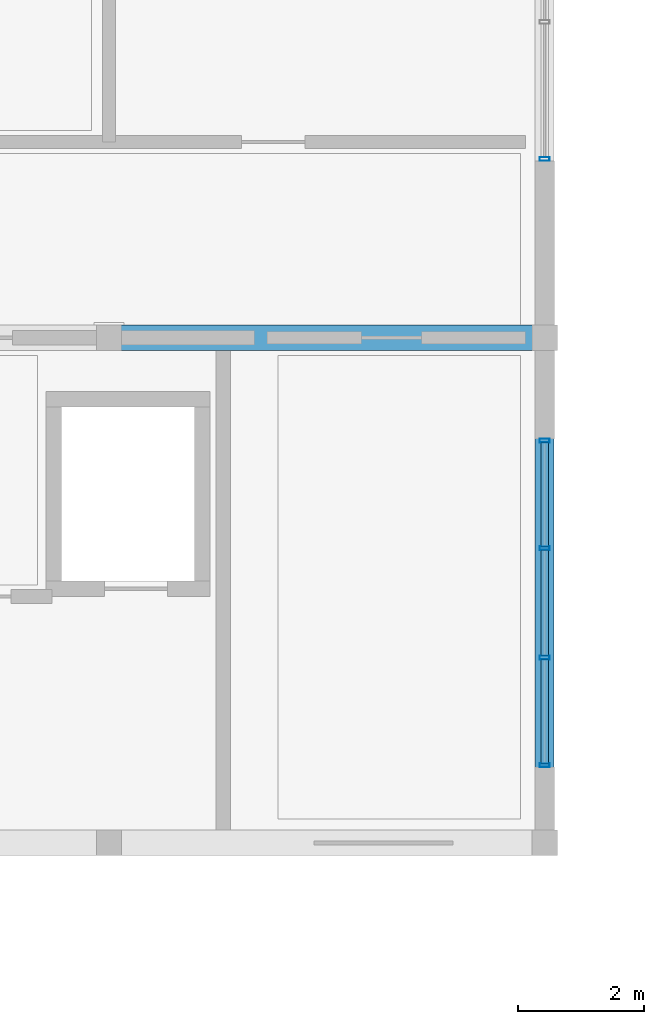
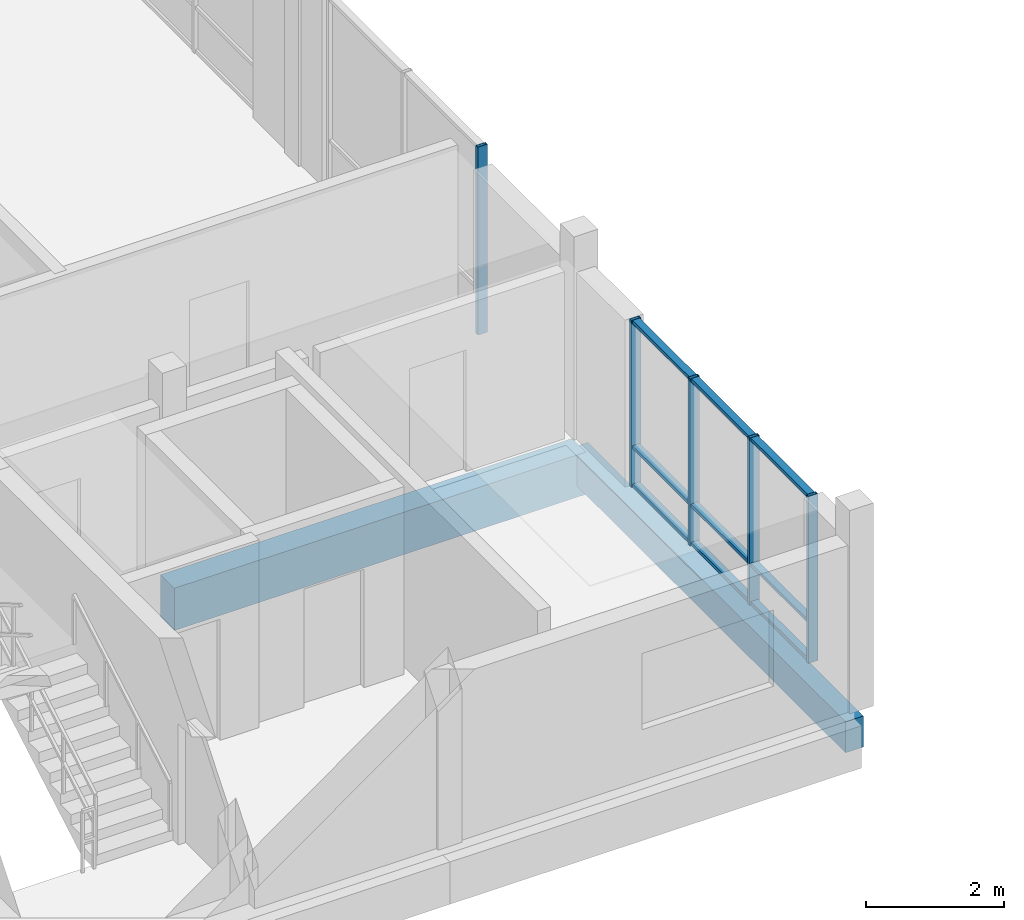
# One storey, part 26 of 189: 14 members, 2 beams, 2 elements without a shape of their own.
"""IFC4 building model written with IfcOpenShell, lengths in metres."""

from ifc_helpers import new_model, si_unit, direction, frame, origin, origin_2d, place, context, subcontext, project, spatial, rectangle, hollow_rectangle, extrude, material, material_profile, profile_set, type_object, element, aggregate, save


model = new_model("IFC4")

# Units and contexts
model_context = context("Model", 3, precision=1e-05, world=origin(), true_north=direction((0.0, 1.0)))
body_context = subcontext(model_context, "Body", "Model", "MODEL_VIEW")
ifc_project = project(units=[si_unit("LENGTHUNIT", "METRE"), si_unit("AREAUNIT", "SQUARE_METRE"), si_unit("VOLUMEUNIT", "CUBIC_METRE"), si_unit("PLANEANGLEUNIT", "RADIAN"), si_unit("MASSUNIT", "GRAM", prefix="KILO")], contexts=[model_context])

# Site, building, storey
site_placement = place(None, origin())
site = spatial("IfcSite", under=ifc_project, at=site_placement, CompositionType="ELEMENT")
building_placement = place(site_placement, origin())
building = spatial("IfcBuilding", under=site, at=building_placement, Name="Zavelmont Quarter", CompositionType="ELEMENT")
storey_placement = place(building_placement, frame((0.0, 0.0, 4.39990234375)))
storey = spatial("IfcBuildingStorey", under=building, at=storey_placement, Name="L01", CompositionType="ELEMENT", Elevation=4.39990234375)

# Beams
ifc_material_1 = material(Name="Concrete C35/45", Category="concrete")
ifc_material_profile_1 = material_profile(ifc_material_1, rectangle(XDim=0.300048828125, YDim=0.550048828125, at=origin_2d()), Name="RC300X550")
ifc_profile_set_1 = profile_set([ifc_material_profile_1], Name="Concrete C35/45")
beam_type_1 = type_object("IfcBeamType", Name="BM02", PredefinedType="SPANDREL", material=ifc_profile_set_1)
beam_1_placement = place(storey_placement, frame((20.699951171875, 30.0, -0.554931640625), z_axis=(0.0, 1.0, 0.0), x_axis=(-1.0, 0.0, 0.0)))
element("IfcBeam", 1, at=beam_1_placement, inside=storey, type_object=beam_type_1, Name="L01 beam BM02 4/F to 4/G", PredefinedType="SPANDREL", context=body_context, shape_type="SweptSolid", body=[
    extrude(rectangle(XDim=0.300048828125, YDim=0.550048828125, at=origin_2d()), origin(), (0.0, 0.0, 1.0), 8.0),
])
ifc_material_2 = material(Name="Concrete C40/50", Category="concrete")
ifc_material_profile_2 = material_profile(ifc_material_2, rectangle(XDim=0.39990234375, YDim=0.75, at=origin_2d()), Name="RC400X750")
ifc_profile_set_2 = profile_set([ifc_material_profile_2], Name="Concrete C40/50")
beam_type_2 = type_object("IfcBeamType", Name="BM05", PredefinedType="BEAM", material=ifc_profile_set_2)
beam_2_placement = place(storey_placement, frame((13.800048828125, 38.0, -0.65478515625), z_axis=(1.0, 0.0, 0.0), x_axis=(0.0, 1.0, 0.0)))
element("IfcBeam", 2, at=beam_2_placement, inside=storey, type_object=beam_type_2, Name="L01 beam BM05 3/G to 4/G", PredefinedType="BEAM", context=body_context, shape_type="SweptSolid", body=[
    extrude(rectangle(XDim=0.39990234375, YDim=0.75, at=origin_2d()), origin(), (0.0, 0.0, 1.0), 6.89990234375),
])

# Curtain wall, members
ifc_material_3 = material(Name="Thermally broken aluminium and double low-E safety glazing", Category="aluminium")
curtain_wall_type_1 = type_object("IfcCurtainWallType", Name="CW-520X296", PredefinedType="NOTDEFINED", material=ifc_material_3)
curtain_wall_1_placement = place(storey_placement, origin())
curtain_wall_1 = element("IfcCurtainWall", 3, at=curtain_wall_1_placement, inside=storey, type_object=curtain_wall_type_1, Name="L01 unitised curtain wall CW-520X296", PredefinedType="NOTDEFINED")
ifc_material_4 = material(Name="Powder-coated aluminium EN AW-6063-T6", Category="aluminium")
ifc_material_profile_3 = material_profile(ifc_material_4, hollow_rectangle(XDim=0.06005859375, YDim=0.159912109375, WallThickness=0.00390625, at=origin_2d()), Name="CWM60X160")
ifc_profile_set_3 = profile_set([ifc_material_profile_3], Name="Powder-coated aluminium EN AW-6063-T6")
member_type_1 = type_object("IfcMemberType", Name="CWM01", PredefinedType="MULLION", material=ifc_profile_set_3)
member_1_placement = place(storey_placement, frame((20.699951171875, 31.22998046875, 0.0), z_axis=(0.0, 0.0, 1.0), x_axis=(0.0, 1.0, 0.0)))
member_1 = element("IfcMember", 4, at=member_1_placement, type_object=member_type_1, Name="CW-520X296 mullion 1", PredefinedType="MULLION", context=body_context, shape_type="SweptSolid", body=[
    extrude(hollow_rectangle(XDim=0.06005859375, YDim=0.159912109375, WallThickness=0.00390625, at=origin_2d()), origin(), (0.0, 0.0, 1.0), 2.960205078125),
])
member_2_placement = place(storey_placement, frame((20.699951171875, 32.933349609375, 0.0), z_axis=(0.0, 0.0, 1.0), x_axis=(0.0, 1.0, 0.0)))
member_2 = element("IfcMember", 5, at=member_2_placement, type_object=member_type_1, Name="CW-520X296 mullion 2", PredefinedType="MULLION", context=body_context, shape_type="SweptSolid", body=[
    extrude(hollow_rectangle(XDim=0.06005859375, YDim=0.159912109375, WallThickness=0.00390625, at=origin_2d()), origin(), (0.0, 0.0, 1.0), 2.960205078125),
])
member_3_placement = place(storey_placement, frame((20.699951171875, 34.666748046875, 0.0), z_axis=(0.0, 0.0, 1.0), x_axis=(0.0, 1.0, 0.0)))
member_3 = element("IfcMember", 6, at=member_3_placement, type_object=member_type_1, Name="CW-520X296 mullion 3", PredefinedType="MULLION", context=body_context, shape_type="SweptSolid", body=[
    extrude(hollow_rectangle(XDim=0.06005859375, YDim=0.159912109375, WallThickness=0.00390625, at=origin_2d()), origin(), (0.0, 0.0, 1.0), 2.960205078125),
])
member_4_placement = place(storey_placement, frame((20.699951171875, 36.3701171875, 0.0), z_axis=(0.0, 0.0, 1.0), x_axis=(0.0, 1.0, 0.0)))
member_4 = element("IfcMember", 7, at=member_4_placement, type_object=member_type_1, Name="CW-520X296 mullion 4", PredefinedType="MULLION", context=body_context, shape_type="SweptSolid", body=[
    extrude(hollow_rectangle(XDim=0.06005859375, YDim=0.159912109375, WallThickness=0.00390625, at=origin_2d()), origin(), (0.0, 0.0, 1.0), 2.960205078125),
])

# Curtain wall, member
curtain_wall_type_2 = type_object("IfcCurtainWallType", Name="CW-440X333", PredefinedType="NOTDEFINED", material=ifc_material_3)
curtain_wall_2_placement = place(storey_placement, origin())
curtain_wall_2 = element("IfcCurtainWall", 8, at=curtain_wall_2_placement, inside=storey, type_object=curtain_wall_type_2, Name="L01 unitised curtain wall CW-440X333", PredefinedType="NOTDEFINED")
member_5_placement = place(storey_placement, frame((20.699951171875, 40.830078125, 0.0), z_axis=(0.0, 0.0, 1.0), x_axis=(0.0, 1.0, 0.0)))
member_5 = element("IfcMember", 9, at=member_5_placement, type_object=member_type_1, Name="CW-440X333 mullion 1", PredefinedType="MULLION", context=body_context, shape_type="SweptSolid", body=[
    extrude(hollow_rectangle(XDim=0.06005859375, YDim=0.159912109375, WallThickness=0.00390625, at=origin_2d()), origin(), (0.0, 0.0, 1.0), 3.330078125),
])
aggregate(curtain_wall_2, [member_5])

# Member
ifc_material_profile_4 = material_profile(ifc_material_4, hollow_rectangle(XDim=0.1201171875, YDim=0.06005859375, WallThickness=0.00390625, at=origin_2d()), Name="CWT60X120")
ifc_profile_set_4 = profile_set([ifc_material_profile_4], Name="Powder-coated aluminium EN AW-6063-T6")
member_type_2 = type_object("IfcMemberType", Name="CWT01", PredefinedType="NOTDEFINED", material=ifc_profile_set_4)
member_6_placement = place(storey_placement, frame((20.699951171875, 31.260009765625, 0.030029296875), z_axis=(0.0, 1.0, 0.0), x_axis=(-1.0, 0.0, 0.0)))
member_6 = element("IfcMember", 10, at=member_6_placement, type_object=member_type_2, Name="CW-520X296 transom 1.1", ObjectType="TRANSOM", PredefinedType="USERDEFINED", context=body_context, shape_type="SweptSolid", body=[
    extrude(hollow_rectangle(XDim=0.1201171875, YDim=0.06005859375, WallThickness=0.00390625, at=origin_2d()), origin(), (0.0, 0.0, 1.0), 1.643310546875),
])

member_7_placement = place(storey_placement, frame((20.699951171875, 31.260009765625, 0.710205078125), z_axis=(0.0, 1.0, 0.0), x_axis=(-1.0, 0.0, 0.0)))
member_7 = element("IfcMember", 11, at=member_7_placement, type_object=member_type_2, Name="CW-520X296 transom 1.2", ObjectType="TRANSOM", PredefinedType="USERDEFINED", context=body_context, shape_type="SweptSolid", body=[
    extrude(hollow_rectangle(XDim=0.1201171875, YDim=0.06005859375, WallThickness=0.00390625, at=origin_2d()), origin(), (0.0, 0.0, 1.0), 1.643310546875),
])

member_8_placement = place(storey_placement, frame((20.699951171875, 31.260009765625, 2.93017578125), z_axis=(0.0, 1.0, 0.0), x_axis=(-1.0, 0.0, 0.0)))
member_8 = element("IfcMember", 12, at=member_8_placement, type_object=member_type_2, Name="CW-520X296 transom 1.3", ObjectType="TRANSOM", PredefinedType="USERDEFINED", context=body_context, shape_type="SweptSolid", body=[
    extrude(hollow_rectangle(XDim=0.1201171875, YDim=0.06005859375, WallThickness=0.00390625, at=origin_2d()), origin(), (0.0, 0.0, 1.0), 1.643310546875),
])

member_9_placement = place(storey_placement, frame((20.699951171875, 32.96337890625, 0.030029296875), z_axis=(0.0, 1.0, 0.0), x_axis=(-1.0, 0.0, 0.0)))
member_9 = element("IfcMember", 13, at=member_9_placement, type_object=member_type_2, Name="CW-520X296 transom 2.1", ObjectType="TRANSOM", PredefinedType="USERDEFINED", context=body_context, shape_type="SweptSolid", body=[
    extrude(hollow_rectangle(XDim=0.1201171875, YDim=0.06005859375, WallThickness=0.00390625, at=origin_2d()), origin(), (0.0, 0.0, 1.0), 1.67333984375),
])

member_10_placement = place(storey_placement, frame((20.699951171875, 32.96337890625, 0.710205078125), z_axis=(0.0, 1.0, 0.0), x_axis=(-1.0, 0.0, 0.0)))
member_10 = element("IfcMember", 14, at=member_10_placement, type_object=member_type_2, Name="CW-520X296 transom 2.2", ObjectType="TRANSOM", PredefinedType="USERDEFINED", context=body_context, shape_type="SweptSolid", body=[
    extrude(hollow_rectangle(XDim=0.1201171875, YDim=0.06005859375, WallThickness=0.00390625, at=origin_2d()), origin(), (0.0, 0.0, 1.0), 1.67333984375),
])

member_11_placement = place(storey_placement, frame((20.699951171875, 32.96337890625, 2.93017578125), z_axis=(0.0, 1.0, 0.0), x_axis=(-1.0, 0.0, 0.0)))
member_11 = element("IfcMember", 15, at=member_11_placement, type_object=member_type_2, Name="CW-520X296 transom 2.3", ObjectType="TRANSOM", PredefinedType="USERDEFINED", context=body_context, shape_type="SweptSolid", body=[
    extrude(hollow_rectangle(XDim=0.1201171875, YDim=0.06005859375, WallThickness=0.00390625, at=origin_2d()), origin(), (0.0, 0.0, 1.0), 1.67333984375),
])

member_12_placement = place(storey_placement, frame((20.699951171875, 34.69677734375, 0.030029296875), z_axis=(0.0, 1.0, 0.0), x_axis=(-1.0, 0.0, 0.0)))
member_12 = element("IfcMember", 16, at=member_12_placement, type_object=member_type_2, Name="CW-520X296 transom 3.1", ObjectType="TRANSOM", PredefinedType="USERDEFINED", context=body_context, shape_type="SweptSolid", body=[
    extrude(hollow_rectangle(XDim=0.1201171875, YDim=0.06005859375, WallThickness=0.00390625, at=origin_2d()), origin(), (0.0, 0.0, 1.0), 1.643310546875),
])

member_13_placement = place(storey_placement, frame((20.699951171875, 34.69677734375, 0.710205078125), z_axis=(0.0, 1.0, 0.0), x_axis=(-1.0, 0.0, 0.0)))
member_13 = element("IfcMember", 17, at=member_13_placement, type_object=member_type_2, Name="CW-520X296 transom 3.2", ObjectType="TRANSOM", PredefinedType="USERDEFINED", context=body_context, shape_type="SweptSolid", body=[
    extrude(hollow_rectangle(XDim=0.1201171875, YDim=0.06005859375, WallThickness=0.00390625, at=origin_2d()), origin(), (0.0, 0.0, 1.0), 1.643310546875),
])

member_14_placement = place(storey_placement, frame((20.699951171875, 34.69677734375, 2.93017578125), z_axis=(0.0, 1.0, 0.0), x_axis=(-1.0, 0.0, 0.0)))
member_14 = element("IfcMember", 18, at=member_14_placement, type_object=member_type_2, Name="CW-520X296 transom 3.3", ObjectType="TRANSOM", PredefinedType="USERDEFINED", context=body_context, shape_type="SweptSolid", body=[
    extrude(hollow_rectangle(XDim=0.1201171875, YDim=0.06005859375, WallThickness=0.00390625, at=origin_2d()), origin(), (0.0, 0.0, 1.0), 1.643310546875),
])

aggregate(curtain_wall_1, [member_1, member_2, member_3, member_4, member_6, member_7, member_8, member_9, member_10, member_11, member_12, member_13, member_14])

save(model, "model.ifc")
